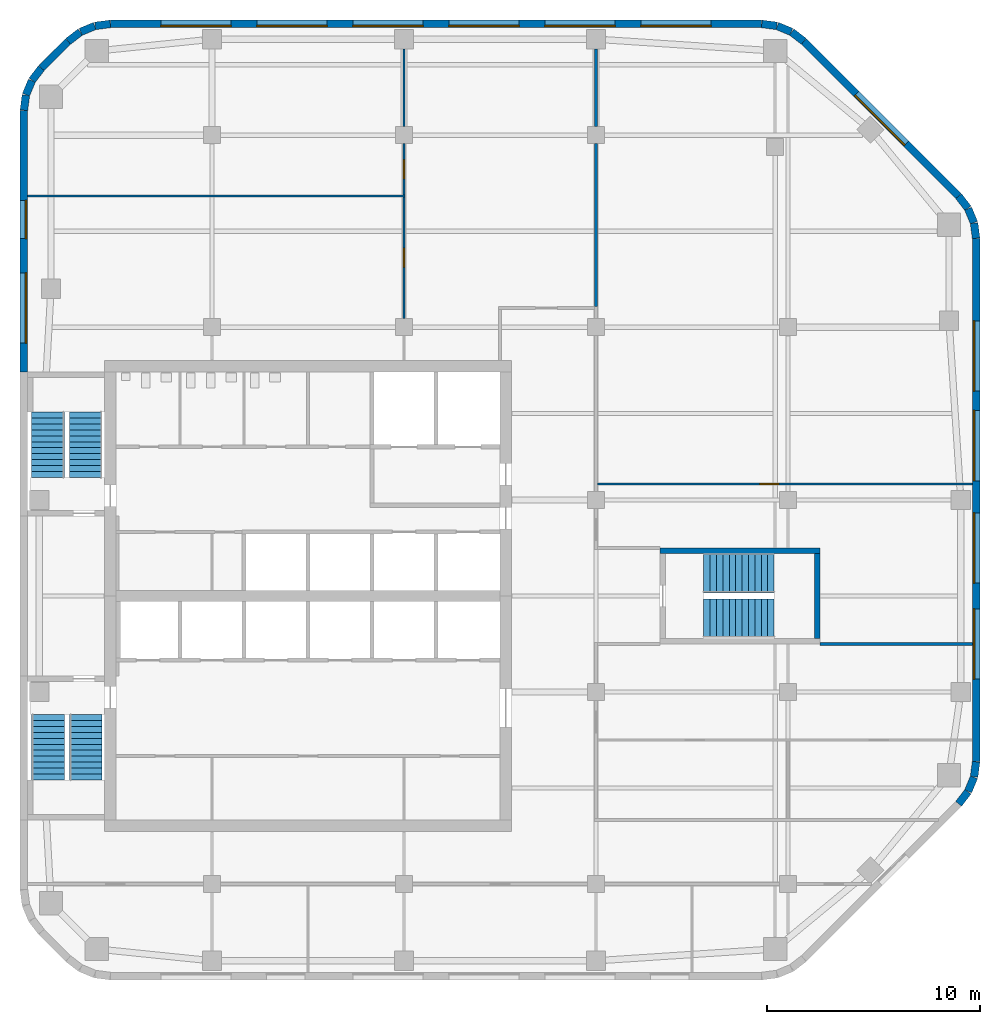
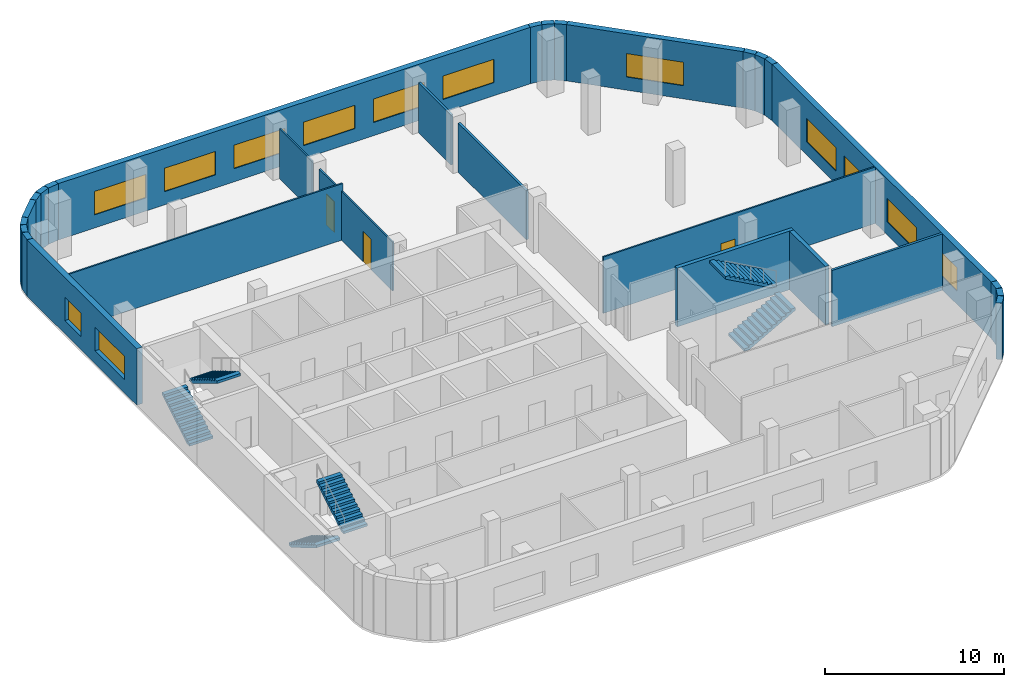
# One storey, part 5 of 7: 30 walls, 13 windows, 6 stair flights, 3 doors, 16 openings, 3 elements without a shape of their own.
"""IFC4 building model written with IfcOpenShell, lengths in metres."""

from ifc_helpers import new_model, si_unit, direction, frame, frame_2d, origin, place, context, subcontext, project, spatial, polyline, rectangle, outline, extrude, material, layer, layer_set, type_object, element, fill, aggregate, save


model = new_model("IFC4")

# Units and contexts
model_context = context("Model", 3, precision=1e-05, world=origin(), true_north=direction((0.0, 1.0)))
body_context = subcontext(model_context, "Body", "Model", "MODEL_VIEW")
ifc_project = project(units=[si_unit("LENGTHUNIT", "METRE"), si_unit("AREAUNIT", "SQUARE_METRE"), si_unit("VOLUMEUNIT", "CUBIC_METRE"), si_unit("PLANEANGLEUNIT", "RADIAN"), si_unit("MASSUNIT", "GRAM", prefix="KILO")], contexts=[model_context])

# Site, building, storey
site_placement = place(None, origin())
site = spatial("IfcSite", under=ifc_project, at=site_placement, CompositionType="ELEMENT")
building_placement = place(site_placement, origin())
building = spatial("IfcBuilding", under=site, at=building_placement, Name="Cinnabar Reach Civic Tower", CompositionType="ELEMENT")
storey_placement = place(building_placement, frame((0.0, 0.0, 214.0)))
storey = spatial("IfcBuildingStorey", under=building, at=storey_placement, Name="L51", CompositionType="ELEMENT", Elevation=214.0)

# Walls
ifc_material_1 = material(Name="Facing brick with insulated backing", Category="masonry")
ifc_layer_1 = layer(ifc_material_1, 0.36)
ifc_layer_set_1 = layer_set([ifc_layer_1], Name="Brick corner wall")
wall_type_1 = type_object("IfcWallType", Name="Brick corner wall", PredefinedType="STANDARD", material=ifc_layer_set_1)
wall_1_placement = place(storey_placement, frame((43.9998, 21.7587, 0.0), z_axis=(0.0, 0.0, 1.0), x_axis=(0.608802368033, 0.793321924995, 0.0)))
element("IfcWall", 1, at=wall_1_placement, inside=storey, type_object=wall_type_1, Name="Brick corner wall", PredefinedType="STANDARD", context=body_context, shape_type="SweptSolid", body=[
    extrude(rectangle(XDim=0.7132, YDim=0.36, at=frame_2d((0.3566, 0.0))), origin(), (0.0, 0.0, 1.0), 3.85),
])
for number, where, z_axis, x_axis, name in (
    (2, (44.4452, 22.3439, 0.0), (0.0, 0.0, 1.0), (0.382702709855, 0.923871547278, 0.0), "Brick corner wall"),
    (3, (44.7239, 23.0244, 0.0), (0.0, 0.0, 1.0), (0.13055608231, 0.99144092581, 0.0), "Brick corner wall"),
    (4, (44.817, 48.2686, 0.0), (0.0, 0.0, 1.0), (-0.13055608231, 0.99144092581, 0.0), "Brick corner wall"),
    (5, (44.7181, 48.9973, 0.0), (0.0, 0.0, 1.0), (-0.382702709855, 0.923871547278, 0.0), "Brick corner wall"),
):
    element("IfcWall", number, at=place(storey_placement, frame(where, z_axis=z_axis, x_axis=x_axis)), inside=storey, type_object=wall_type_1, Name=name, PredefinedType="STANDARD", context=body_context, shape_type="SweptSolid", body=[
        extrude(rectangle(XDim=0.7131, YDim=0.36, at=frame_2d((0.3565, 0.0))), origin(), (0.0, 0.0, 1.0), 3.85),
    ])
for number, where, z_axis, x_axis, name in (
    (6, (44.434, 49.6755, 0.0), (0.0, 0.0, 1.0), (-0.608802368033, 0.793321924995, 0.0), "Brick corner wall"),
    (7, (36.7413, 57.4998, 0.0), (0.0, 0.0, 1.0), (-0.793321924995, 0.608802368033, 0.0), "Brick corner wall"),
):
    element("IfcWall", number, at=place(storey_placement, frame(where, z_axis=z_axis, x_axis=x_axis)), inside=storey, type_object=wall_type_1, Name=name, PredefinedType="STANDARD", context=body_context, shape_type="SweptSolid", body=[
        extrude(rectangle(XDim=0.7132, YDim=0.36, at=frame_2d((0.3566, 0.0))), origin(), (0.0, 0.0, 1.0), 3.85),
    ])
for number, where, z_axis, x_axis, name in (
    (8, (36.1561, 57.9452, 0.0), (0.0, 0.0, 1.0), (-0.923871547278, 0.382702709855, 0.0), "Brick corner wall"),
    (9, (35.4756, 58.2239, 0.0), (0.0, 0.0, 1.0), (-0.99144092581, 0.13055608231, 0.0), "Brick corner wall"),
    (10, (4.2314, 58.317, 0.0), (0.0, 0.0, 1.0), (-0.99144092581, -0.13055608231, 0.0), "Brick corner wall"),
    (11, (3.5027, 58.2181, 0.0), (0.0, 0.0, 1.0), (-0.923871547278, -0.382702709855, 0.0), "Brick corner wall"),
):
    element("IfcWall", number, at=place(storey_placement, frame(where, z_axis=z_axis, x_axis=x_axis)), inside=storey, type_object=wall_type_1, Name=name, PredefinedType="STANDARD", context=body_context, shape_type="SweptSolid", body=[
        extrude(rectangle(XDim=0.7131, YDim=0.36, at=frame_2d((0.3565, 0.0))), origin(), (0.0, 0.0, 1.0), 3.85),
    ])
for number, where, z_axis, x_axis, name in (
    (12, (2.8245, 57.934, 0.0), (0.0, 0.0, 1.0), (-0.793321924995, -0.608802368033, 0.0), "Brick corner wall"),
    (13, (1.0002, 56.2413, 0.0), (0.0, 0.0, 1.0), (-0.608802368033, -0.793321924995, 0.0), "Brick corner wall"),
):
    element("IfcWall", number, at=place(storey_placement, frame(where, z_axis=z_axis, x_axis=x_axis)), inside=storey, type_object=wall_type_1, Name=name, PredefinedType="STANDARD", context=body_context, shape_type="SweptSolid", body=[
        extrude(rectangle(XDim=0.7132, YDim=0.36, at=frame_2d((0.3566, 0.0))), origin(), (0.0, 0.0, 1.0), 3.85),
    ])
for number, where, z_axis, x_axis, name in (
    (14, (0.5548, 55.6561, 0.0), (0.0, 0.0, 1.0), (-0.382702709855, -0.923871547278, 0.0), "Brick corner wall"),
    (15, (0.2761, 54.9756, 0.0), (0.0, 0.0, 1.0), (-0.13055608231, -0.99144092581, 0.0), "Brick corner wall"),
):
    element("IfcWall", number, at=place(storey_placement, frame(where, z_axis=z_axis, x_axis=x_axis)), inside=storey, type_object=wall_type_1, Name=name, PredefinedType="STANDARD", context=body_context, shape_type="SweptSolid", body=[
        extrude(rectangle(XDim=0.7131, YDim=0.36, at=frame_2d((0.3565, 0.0))), origin(), (0.0, 0.0, 1.0), 3.85),
    ])

# Wall, openings, windows
ifc_layer_2 = layer(ifc_material_1, 0.36)
ifc_layer_set_2 = layer_set([ifc_layer_2], Name="Brick pier and spandrel wall")
wall_type_2 = type_object("IfcWallType", Name="Brick pier and spandrel wall", PredefinedType="STANDARD", material=ifc_layer_set_2)
wall_2_placement = place(storey_placement, frame((44.82, 23.7426, 0.0), z_axis=(0.0, 0.0, 1.0), x_axis=(0.0, 1.0, 0.0)))
wall_2 = element("IfcWall", 16, at=wall_2_placement, inside=storey, type_object=wall_type_2, Name="Brick facade wall", PredefinedType="STANDARD", context=body_context, shape_type="SweptSolid", body=[
    extrude(rectangle(XDim=24.5148, YDim=0.36, at=frame_2d((12.2574, 0.0))), origin(), (0.0, 0.0, 1.0), 3.85),
])
opening_1_placement = place(wall_2_placement, frame((3.8574, 0.0, 0.9)))
opening_1 = element("IfcOpeningElement", 17, at=opening_1_placement, cuts=wall_2, Name="Opening W2047", PredefinedType="OPENING", context=body_context, shape_type="SweptSolid", body=[
    extrude(rectangle(XDim=3.3, YDim=1.6, at=frame_2d((1.65, 0.8))), frame((0.0, 0.19, 0.0), z_axis=(0.0, -1.0, 0.0), x_axis=(1.0, 0.0, 0.0)), (0.0, 0.0, 1.0), 0.38),
])
opening_2_placement = place(wall_2_placement, frame((8.3574, 0.0, 0.9)))
opening_2 = element("IfcOpeningElement", 18, at=opening_2_placement, cuts=wall_2, Name="Opening W2048", PredefinedType="OPENING", context=body_context, shape_type="SweptSolid", body=[
    extrude(rectangle(XDim=3.3, YDim=1.6, at=frame_2d((1.65, 0.8))), frame((0.0, 0.19, 0.0), z_axis=(0.0, -1.0, 0.0), x_axis=(1.0, 0.0, 0.0)), (0.0, 0.0, 1.0), 0.38),
])
opening_3_placement = place(wall_2_placement, frame((13.1574, 0.0, 0.9)))
opening_3 = element("IfcOpeningElement", 19, at=opening_3_placement, cuts=wall_2, Name="Opening W2049", PredefinedType="OPENING", context=body_context, shape_type="SweptSolid", body=[
    extrude(rectangle(XDim=3.3, YDim=1.6, at=frame_2d((1.65, 0.8))), frame((0.0, 0.19, 0.0), z_axis=(0.0, -1.0, 0.0), x_axis=(1.0, 0.0, 0.0)), (0.0, 0.0, 1.0), 0.38),
])
opening_4_placement = place(wall_2_placement, frame((17.3574, 0.0, 0.9)))
opening_4 = element("IfcOpeningElement", 20, at=opening_4_placement, cuts=wall_2, Name="Opening W2050", PredefinedType="OPENING", context=body_context, shape_type="SweptSolid", body=[
    extrude(rectangle(XDim=3.3, YDim=1.6, at=frame_2d((1.65, 0.8))), frame((0.0, 0.19, 0.0), z_axis=(0.0, -1.0, 0.0), x_axis=(1.0, 0.0, 0.0)), (0.0, 0.0, 1.0), 0.38),
])
ifc_material_2 = material(Name="Clear double glazing in aluminium frame", Category="aluminium")
window_type_1 = type_object("IfcWindowType", Name="Deep-set window A", PartitioningType="SINGLE_PANEL", PredefinedType="WINDOW", material=ifc_material_2)
window_1_placement = place(opening_1_placement, origin())
window_1 = element("IfcWindow", 21, at=window_1_placement, inside=storey, type_object=window_type_1, Name="Window east face", OverallHeight=1.6, OverallWidth=3.3, PartitioningType="SINGLE_PANEL", PredefinedType="WINDOW", context=body_context, shape_type="SweptSolid", body=[
    extrude(rectangle(XDim=3.3, YDim=1.6, at=frame_2d((1.65, 0.8))), frame((0.0, 0.13, 0.0), z_axis=(0.0, -1.0, 0.0), x_axis=(1.0, 0.0, 0.0)), (0.0, 0.0, 1.0), 0.06),
])
fill(opening_1, window_1)
window_2_placement = place(opening_2_placement, origin())
window_2 = element("IfcWindow", 22, at=window_2_placement, inside=storey, type_object=window_type_1, Name="Window east face", OverallHeight=1.6, OverallWidth=3.3, PartitioningType="SINGLE_PANEL", PredefinedType="WINDOW", context=body_context, shape_type="SweptSolid", body=[
    extrude(rectangle(XDim=3.3, YDim=1.6, at=frame_2d((1.65, 0.8))), frame((0.0, 0.13, 0.0), z_axis=(0.0, -1.0, 0.0), x_axis=(1.0, 0.0, 0.0)), (0.0, 0.0, 1.0), 0.06),
])
fill(opening_2, window_2)
window_3_placement = place(opening_3_placement, origin())
window_3 = element("IfcWindow", 23, at=window_3_placement, inside=storey, type_object=window_type_1, Name="Window east face", OverallHeight=1.6, OverallWidth=3.3, PartitioningType="SINGLE_PANEL", PredefinedType="WINDOW", context=body_context, shape_type="SweptSolid", body=[
    extrude(rectangle(XDim=3.3, YDim=1.6, at=frame_2d((1.65, 0.8))), frame((0.0, 0.13, 0.0), z_axis=(0.0, -1.0, 0.0), x_axis=(1.0, 0.0, 0.0)), (0.0, 0.0, 1.0), 0.06),
])
fill(opening_3, window_3)
window_4_placement = place(opening_4_placement, origin())
window_4 = element("IfcWindow", 24, at=window_4_placement, inside=storey, type_object=window_type_1, Name="Window east face", OverallHeight=1.6, OverallWidth=3.3, PartitioningType="SINGLE_PANEL", PredefinedType="WINDOW", context=body_context, shape_type="SweptSolid", body=[
    extrude(rectangle(XDim=3.3, YDim=1.6, at=frame_2d((1.65, 0.8))), frame((0.0, 0.13, 0.0), z_axis=(0.0, -1.0, 0.0), x_axis=(1.0, 0.0, 0.0)), (0.0, 0.0, 1.0), 0.06),
])
fill(opening_4, window_4)

# Wall, opening, window
wall_3_placement = place(storey_placement, frame((43.994, 50.2514, 0.0), z_axis=(0.0, 0.0, 1.0), x_axis=(-0.707106781187, 0.707106781187, 0.0)))
wall_3 = element("IfcWall", 25, at=wall_3_placement, inside=storey, type_object=wall_type_2, Name="Brick facade wall", PredefinedType="STANDARD", context=body_context, shape_type="SweptSolid", body=[
    extrude(rectangle(XDim=10.2426, YDim=0.36, at=frame_2d((5.1213, 0.0))), origin(), (0.0, 0.0, 1.0), 3.85),
])
opening_5_placement = place(wall_3_placement, frame((3.4713, 0.0, 0.9)))
opening_5 = element("IfcOpeningElement", 26, at=opening_5_placement, cuts=wall_3, Name="Opening W2051", PredefinedType="OPENING", context=body_context, shape_type="SweptSolid", body=[
    extrude(rectangle(XDim=3.3, YDim=1.6, at=frame_2d((1.65, 0.8))), frame((0.0, 0.19, 0.0), z_axis=(0.0, -1.0, 0.0), x_axis=(1.0, 0.0, 0.0)), (0.0, 0.0, 1.0), 0.38),
])
window_5_placement = place(opening_5_placement, origin())
window_5 = element("IfcWindow", 27, at=window_5_placement, inside=storey, type_object=window_type_1, Name="Window northeast face", OverallHeight=1.6, OverallWidth=3.3, PartitioningType="SINGLE_PANEL", PredefinedType="WINDOW", context=body_context, shape_type="SweptSolid", body=[
    extrude(rectangle(XDim=3.3, YDim=1.6, at=frame_2d((1.65, 0.8))), frame((0.0, 0.13, 0.0), z_axis=(0.0, -1.0, 0.0), x_axis=(1.0, 0.0, 0.0)), (0.0, 0.0, 1.0), 0.06),
])
fill(opening_5, window_5)

# Wall, openings, windows
wall_4_placement = place(storey_placement, frame((34.7574, 58.32, 0.0), z_axis=(0.0, 0.0, 1.0), x_axis=(-1.0, 0.0, 0.0)))
wall_4 = element("IfcWall", 28, at=wall_4_placement, inside=storey, type_object=wall_type_2, Name="Brick facade wall", PredefinedType="STANDARD", context=body_context, shape_type="SweptSolid", body=[
    extrude(rectangle(XDim=30.5148, YDim=0.36, at=frame_2d((15.2574, 0.0))), origin(), (0.0, 0.0, 1.0), 3.85),
])
opening_6_placement = place(wall_4_placement, frame((2.3574, 0.0, 0.9)))
opening_6 = element("IfcOpeningElement", 29, at=opening_6_placement, cuts=wall_4, Name="Opening W2052", PredefinedType="OPENING", context=body_context, shape_type="SweptSolid", body=[
    extrude(rectangle(XDim=3.3, YDim=1.6, at=frame_2d((1.65, 0.8))), frame((0.0, 0.19, 0.0), z_axis=(0.0, -1.0, 0.0), x_axis=(1.0, 0.0, 0.0)), (0.0, 0.0, 1.0), 0.38),
])
opening_7_placement = place(wall_4_placement, frame((6.8574, 0.0, 0.9)))
opening_7 = element("IfcOpeningElement", 30, at=opening_7_placement, cuts=wall_4, Name="Opening W2053", PredefinedType="OPENING", context=body_context, shape_type="SweptSolid", body=[
    extrude(rectangle(XDim=3.3, YDim=1.6, at=frame_2d((1.65, 0.8))), frame((0.0, 0.19, 0.0), z_axis=(0.0, -1.0, 0.0), x_axis=(1.0, 0.0, 0.0)), (0.0, 0.0, 1.0), 0.38),
])
opening_8_placement = place(wall_4_placement, frame((11.3574, 0.0, 0.9)))
opening_8 = element("IfcOpeningElement", 31, at=opening_8_placement, cuts=wall_4, Name="Opening W2054", PredefinedType="OPENING", context=body_context, shape_type="SweptSolid", body=[
    extrude(rectangle(XDim=3.3, YDim=1.6, at=frame_2d((1.65, 0.8))), frame((0.0, 0.19, 0.0), z_axis=(0.0, -1.0, 0.0), x_axis=(1.0, 0.0, 0.0)), (0.0, 0.0, 1.0), 0.38),
])
opening_9_placement = place(wall_4_placement, frame((15.8574, 0.0, 0.9)))
opening_9 = element("IfcOpeningElement", 32, at=opening_9_placement, cuts=wall_4, Name="Opening W2055", PredefinedType="OPENING", context=body_context, shape_type="SweptSolid", body=[
    extrude(rectangle(XDim=3.3, YDim=1.6, at=frame_2d((1.65, 0.8))), frame((0.0, 0.19, 0.0), z_axis=(0.0, -1.0, 0.0), x_axis=(1.0, 0.0, 0.0)), (0.0, 0.0, 1.0), 0.38),
])
opening_10_placement = place(wall_4_placement, frame((20.3574, 0.0, 0.9)))
opening_10 = element("IfcOpeningElement", 33, at=opening_10_placement, cuts=wall_4, Name="Opening W2056", PredefinedType="OPENING", context=body_context, shape_type="SweptSolid", body=[
    extrude(rectangle(XDim=3.3, YDim=1.6, at=frame_2d((1.65, 0.8))), frame((0.0, 0.19, 0.0), z_axis=(0.0, -1.0, 0.0), x_axis=(1.0, 0.0, 0.0)), (0.0, 0.0, 1.0), 0.38),
])
opening_11_placement = place(wall_4_placement, frame((24.8574, 0.0, 0.9)))
opening_11 = element("IfcOpeningElement", 34, at=opening_11_placement, cuts=wall_4, Name="Opening W2057", PredefinedType="OPENING", context=body_context, shape_type="SweptSolid", body=[
    extrude(rectangle(XDim=3.3, YDim=1.6, at=frame_2d((1.65, 0.8))), frame((0.0, 0.19, 0.0), z_axis=(0.0, -1.0, 0.0), x_axis=(1.0, 0.0, 0.0)), (0.0, 0.0, 1.0), 0.38),
])
window_6_placement = place(opening_6_placement, origin())
window_6 = element("IfcWindow", 35, at=window_6_placement, inside=storey, type_object=window_type_1, Name="Window north face", OverallHeight=1.6, OverallWidth=3.3, PartitioningType="SINGLE_PANEL", PredefinedType="WINDOW", context=body_context, shape_type="SweptSolid", body=[
    extrude(rectangle(XDim=3.3, YDim=1.6, at=frame_2d((1.65, 0.8))), frame((0.0, 0.13, 0.0), z_axis=(0.0, -1.0, 0.0), x_axis=(1.0, 0.0, 0.0)), (0.0, 0.0, 1.0), 0.06),
])
fill(opening_6, window_6)
window_7_placement = place(opening_7_placement, origin())
window_7 = element("IfcWindow", 36, at=window_7_placement, inside=storey, type_object=window_type_1, Name="Window north face", OverallHeight=1.6, OverallWidth=3.3, PartitioningType="SINGLE_PANEL", PredefinedType="WINDOW", context=body_context, shape_type="SweptSolid", body=[
    extrude(rectangle(XDim=3.3, YDim=1.6, at=frame_2d((1.65, 0.8))), frame((0.0, 0.13, 0.0), z_axis=(0.0, -1.0, 0.0), x_axis=(1.0, 0.0, 0.0)), (0.0, 0.0, 1.0), 0.06),
])
fill(opening_7, window_7)
window_8_placement = place(opening_8_placement, origin())
window_8 = element("IfcWindow", 37, at=window_8_placement, inside=storey, type_object=window_type_1, Name="Window north face", OverallHeight=1.6, OverallWidth=3.3, PartitioningType="SINGLE_PANEL", PredefinedType="WINDOW", context=body_context, shape_type="SweptSolid", body=[
    extrude(rectangle(XDim=3.3, YDim=1.6, at=frame_2d((1.65, 0.8))), frame((0.0, 0.13, 0.0), z_axis=(0.0, -1.0, 0.0), x_axis=(1.0, 0.0, 0.0)), (0.0, 0.0, 1.0), 0.06),
])
fill(opening_8, window_8)
window_9_placement = place(opening_9_placement, origin())
window_9 = element("IfcWindow", 38, at=window_9_placement, inside=storey, type_object=window_type_1, Name="Window north face", OverallHeight=1.6, OverallWidth=3.3, PartitioningType="SINGLE_PANEL", PredefinedType="WINDOW", context=body_context, shape_type="SweptSolid", body=[
    extrude(rectangle(XDim=3.3, YDim=1.6, at=frame_2d((1.65, 0.8))), frame((0.0, 0.13, 0.0), z_axis=(0.0, -1.0, 0.0), x_axis=(1.0, 0.0, 0.0)), (0.0, 0.0, 1.0), 0.06),
])
fill(opening_9, window_9)
window_10_placement = place(opening_10_placement, origin())
window_10 = element("IfcWindow", 39, at=window_10_placement, inside=storey, type_object=window_type_1, Name="Window north face", OverallHeight=1.6, OverallWidth=3.3, PartitioningType="SINGLE_PANEL", PredefinedType="WINDOW", context=body_context, shape_type="SweptSolid", body=[
    extrude(rectangle(XDim=3.3, YDim=1.6, at=frame_2d((1.65, 0.8))), frame((0.0, 0.13, 0.0), z_axis=(0.0, -1.0, 0.0), x_axis=(1.0, 0.0, 0.0)), (0.0, 0.0, 1.0), 0.06),
])
fill(opening_10, window_10)
window_11_placement = place(opening_11_placement, origin())
window_11 = element("IfcWindow", 40, at=window_11_placement, inside=storey, type_object=window_type_1, Name="Window north face", OverallHeight=1.6, OverallWidth=3.3, PartitioningType="SINGLE_PANEL", PredefinedType="WINDOW", context=body_context, shape_type="SweptSolid", body=[
    extrude(rectangle(XDim=3.3, YDim=1.6, at=frame_2d((1.65, 0.8))), frame((0.0, 0.13, 0.0), z_axis=(0.0, -1.0, 0.0), x_axis=(1.0, 0.0, 0.0)), (0.0, 0.0, 1.0), 0.06),
])
fill(opening_11, window_11)

# Wall
wall_5_placement = place(storey_placement, frame((2.2486, 57.494, 0.0), z_axis=(0.0, 0.0, 1.0), x_axis=(-0.707106781187, -0.707106781187, 0.0)))
element("IfcWall", 41, at=wall_5_placement, inside=storey, type_object=wall_type_2, Name="Brick facade wall", PredefinedType="STANDARD", context=body_context, shape_type="SweptSolid", body=[
    extrude(rectangle(XDim=1.7573, YDim=0.36, at=frame_2d((0.8787, 0.0))), origin(), (0.0, 0.0, 1.0), 3.85),
])

# Wall, openings, windows
wall_6_placement = place(storey_placement, frame((0.18, 54.2574, 0.0), z_axis=(0.0, 0.0, 1.0), x_axis=(0.0, -1.0, 0.0)))
wall_6 = element("IfcWall", 42, at=wall_6_placement, inside=storey, type_object=wall_type_2, Name="Brick facade wall", PredefinedType="STANDARD", context=body_context, shape_type="SweptSolid", body=[
    extrude(rectangle(XDim=12.2574, YDim=0.36, at=frame_2d((6.1287, 0.0))), origin(), (0.0, 0.0, 1.0), 3.85),
])
opening_12_placement = place(wall_6_placement, frame((4.2074, 0.0, 0.9)))
opening_12 = element("IfcOpeningElement", 43, at=opening_12_placement, cuts=wall_6, Name="Opening W2058", PredefinedType="OPENING", context=body_context, shape_type="SweptSolid", body=[
    extrude(rectangle(XDim=1.8, YDim=1.6, at=frame_2d((0.9, 0.8))), frame((0.0, 0.19, 0.0), z_axis=(0.0, -1.0, 0.0), x_axis=(1.0, 0.0, 0.0)), (0.0, 0.0, 1.0), 0.38),
])
opening_13_placement = place(wall_6_placement, frame((7.6074, 0.0, 0.9)))
opening_13 = element("IfcOpeningElement", 44, at=opening_13_placement, cuts=wall_6, Name="Opening W2059", PredefinedType="OPENING", context=body_context, shape_type="SweptSolid", body=[
    extrude(rectangle(XDim=3.3, YDim=1.6, at=frame_2d((1.65, 0.8))), frame((0.0, 0.19, 0.0), z_axis=(0.0, -1.0, 0.0), x_axis=(1.0, 0.0, 0.0)), (0.0, 0.0, 1.0), 0.38),
])
window_12_placement = place(opening_13_placement, origin())
window_12 = element("IfcWindow", 45, at=window_12_placement, inside=storey, type_object=window_type_1, Name="Window west face", OverallHeight=1.6, OverallWidth=3.3, PartitioningType="SINGLE_PANEL", PredefinedType="WINDOW", context=body_context, shape_type="SweptSolid", body=[
    extrude(rectangle(XDim=3.3, YDim=1.6, at=frame_2d((1.65, 0.8))), frame((0.0, 0.13, 0.0), z_axis=(0.0, -1.0, 0.0), x_axis=(1.0, 0.0, 0.0)), (0.0, 0.0, 1.0), 0.06),
])
fill(opening_13, window_12)
window_type_2 = type_object("IfcWindowType", Name="Deep-set window D", PartitioningType="SINGLE_PANEL", PredefinedType="WINDOW", material=ifc_material_2)
window_13_placement = place(opening_12_placement, origin())
window_13 = element("IfcWindow", 46, at=window_13_placement, inside=storey, type_object=window_type_2, Name="Window west face", OverallHeight=1.6, OverallWidth=1.8, PartitioningType="SINGLE_PANEL", PredefinedType="WINDOW", context=body_context, shape_type="SweptSolid", body=[
    extrude(rectangle(XDim=1.8, YDim=1.6, at=frame_2d((0.9, 0.8))), frame((0.0, 0.13, 0.0), z_axis=(0.0, -1.0, 0.0), x_axis=(1.0, 0.0, 0.0)), (0.0, 0.0, 1.0), 0.06),
])
fill(opening_12, window_13)

# Wall, opening, door
ifc_material_3 = material(Name="Gypsum board on steel studs", Category="steel")
ifc_layer_3 = layer(ifc_material_3, 0.1)
ifc_layer_set_3 = layer_set([ifc_layer_3], Name="Partition wall 100 T1")
wall_type_3 = type_object("IfcWallType", Name="Partition wall 100 T1", PredefinedType="PARTITIONING", material=ifc_layer_set_3)
wall_7_placement = place(storey_placement, frame((27.075, 36.75, 0.0), z_axis=(0.0, 0.0, 1.0), x_axis=(1.0, 0.0, 0.0)))
wall_7 = element("IfcWall", 47, at=wall_7_placement, inside=storey, type_object=wall_type_3, Name="Partition wall 44", PredefinedType="PARTITIONING", context=body_context, shape_type="SweptSolid", body=[
    extrude(rectangle(XDim=17.565, YDim=0.1, at=frame_2d((8.7825, 0.0))), origin(), (0.0, 0.0, 1.0), 3.85),
])
opening_14_placement = place(wall_7_placement, frame((7.6, 0.0, 0.0)))
opening_14 = element("IfcOpeningElement", 48, at=opening_14_placement, cuts=wall_7, Name="Opening D5099", PredefinedType="OPENING", context=body_context, shape_type="SweptSolid", body=[
    extrude(rectangle(XDim=0.9, YDim=2.1, at=frame_2d((0.45, 1.05))), frame((0.0, 0.06, 0.0), z_axis=(0.0, -1.0, 0.0), x_axis=(1.0, 0.0, 0.0)), (0.0, 0.0, 1.0), 0.12),
])
ifc_material_4 = material(Name="Timber door leaf in steel frame", Category="steel")
door_type = type_object("IfcDoorType", Name="Single swing door 900 x 2100 T1", OperationType="SINGLE_SWING_LEFT", PredefinedType="DOOR", material=ifc_material_4)
door_1_placement = place(opening_14_placement, frame((0.9, 0.0, 0.0), z_axis=(0.0, 0.0, 1.0), x_axis=(-1.0, 0.0, 0.0)))
door_1 = element("IfcDoor", 49, at=door_1_placement, inside=storey, type_object=door_type, Name="Door D5099", OperationType="SINGLE_SWING_LEFT", OverallHeight=2.1, OverallWidth=0.9, PredefinedType="DOOR", context=body_context, shape_type="SweptSolid", body=[
    extrude(rectangle(XDim=0.9, YDim=2.1, at=frame_2d((0.45, 1.05))), frame((0.0, 0.025, 0.0), z_axis=(0.0, -1.0, 0.0), x_axis=(1.0, 0.0, 0.0)), (0.0, 0.0, 1.0), 0.05),
])
fill(opening_14, door_1)

# Wall
wall_8_placement = place(storey_placement, frame((0.36, 50.25, 0.0), z_axis=(0.0, 0.0, 1.0), x_axis=(1.0, 0.0, 0.0)))
element("IfcWall", 50, at=wall_8_placement, inside=storey, type_object=wall_type_3, Name="Partition wall 45", PredefinedType="PARTITIONING", context=body_context, shape_type="SweptSolid", body=[
    extrude(rectangle(XDim=17.69, YDim=0.1, at=frame_2d((8.845, 0.0))), origin(), (0.0, 0.0, 1.0), 3.85),
])

# Wall, opening, door
wall_9_placement = place(storey_placement, frame((18.0, 50.3, 0.0), z_axis=(0.0, 0.0, 1.0), x_axis=(0.0, 1.0, 0.0)))
wall_9 = element("IfcWall", 51, at=wall_9_placement, inside=storey, type_object=wall_type_3, Name="Partition wall 47", PredefinedType="PARTITIONING", context=body_context, shape_type="SweptSolid", body=[
    extrude(rectangle(XDim=2.4, YDim=0.1, at=frame_2d((1.2, 0.0))), origin(), (0.0, 0.0, 1.0), 3.35),
])
opening_15_placement = place(wall_9_placement, frame((0.75, 0.0, 0.0)))
opening_15 = element("IfcOpeningElement", 52, at=opening_15_placement, cuts=wall_9, Name="Opening D5108", PredefinedType="OPENING", context=body_context, shape_type="SweptSolid", body=[
    extrude(rectangle(XDim=0.9, YDim=2.1, at=frame_2d((0.45, 1.05))), frame((0.0, 0.06, 0.0), z_axis=(0.0, -1.0, 0.0), x_axis=(1.0, 0.0, 0.0)), (0.0, 0.0, 1.0), 0.12),
])
door_2_placement = place(opening_15_placement, frame((0.9, 0.0, 0.0), z_axis=(0.0, 0.0, 1.0), x_axis=(-1.0, 0.0, 0.0)))
door_2 = element("IfcDoor", 53, at=door_2_placement, inside=storey, type_object=door_type, Name="Door D5108", OperationType="SINGLE_SWING_LEFT", OverallHeight=2.1, OverallWidth=0.9, PredefinedType="DOOR", context=body_context, shape_type="SweptSolid", body=[
    extrude(rectangle(XDim=0.9, YDim=2.1, at=frame_2d((0.45, 1.05))), frame((0.0, 0.025, 0.0), z_axis=(0.0, -1.0, 0.0), x_axis=(1.0, 0.0, 0.0)), (0.0, 0.0, 1.0), 0.05),
])
fill(opening_15, door_2)

wall_10_placement = place(storey_placement, frame((18.0, 44.5, 0.0), z_axis=(0.0, 0.0, 1.0), x_axis=(0.0, 1.0, 0.0)))
wall_10 = element("IfcWall", 54, at=wall_10_placement, inside=storey, type_object=wall_type_3, Name="Partition wall 48", PredefinedType="PARTITIONING", context=body_context, shape_type="SweptSolid", body=[
    extrude(rectangle(XDim=5.7, YDim=0.1, at=frame_2d((2.85, 0.0))), origin(), (0.0, 0.0, 1.0), 3.35),
])
opening_16_placement = place(wall_10_placement, frame((2.4, 0.0, 0.0)))
opening_16 = element("IfcOpeningElement", 55, at=opening_16_placement, cuts=wall_10, Name="Opening D5107", PredefinedType="OPENING", context=body_context, shape_type="SweptSolid", body=[
    extrude(rectangle(XDim=0.9, YDim=2.1, at=frame_2d((0.45, 1.05))), frame((0.0, 0.06, 0.0), z_axis=(0.0, -1.0, 0.0), x_axis=(1.0, 0.0, 0.0)), (0.0, 0.0, 1.0), 0.12),
])
door_3_placement = place(opening_16_placement, frame((0.9, 0.0, 0.0), z_axis=(0.0, 0.0, 1.0), x_axis=(-1.0, 0.0, 0.0)))
door_3 = element("IfcDoor", 56, at=door_3_placement, inside=storey, type_object=door_type, Name="Door D5107", OperationType="SINGLE_SWING_RIGHT", OverallHeight=2.1, OverallWidth=0.9, PredefinedType="DOOR", context=body_context, shape_type="SweptSolid", body=[
    extrude(rectangle(XDim=0.9, YDim=2.1, at=frame_2d((0.45, 1.05))), frame((0.0, 0.025, 0.0), z_axis=(0.0, -1.0, 0.0), x_axis=(1.0, 0.0, 0.0)), (0.0, 0.0, 1.0), 0.05),
])
fill(opening_16, door_3)

# Walls
wall_11_placement = place(storey_placement, frame((18.0, 53.5, 0.0), z_axis=(0.0, 0.0, 1.0), x_axis=(0.0, 1.0, 0.0)))
element("IfcWall", 57, at=wall_11_placement, inside=storey, type_object=wall_type_3, Name="Partition wall 49", PredefinedType="PARTITIONING", context=body_context, shape_type="SweptSolid", body=[
    extrude(rectangle(XDim=3.65, YDim=0.1, at=frame_2d((1.825, 0.0))), origin(), (0.0, 0.0, 1.0), 3.41),
])
ifc_material_5 = material(Name="Concrete C60", Category="concrete")
ifc_layer_4 = layer(ifc_material_5, 0.25)
ifc_layer_set_4 = layer_set([ifc_layer_4], Name="Stair shaft wall 250 EI 120")
wall_type_4 = type_object("IfcWallType", Name="Stair shaft wall 250 EI 120", PredefinedType="SOLIDWALL", material=ifc_layer_set_4)
wall_12_placement = place(storey_placement, frame((37.5, 33.625, 0.0), z_axis=(0.0, 0.0, 1.0), x_axis=(-1.0, 0.0, 0.0)))
element("IfcWall", 58, at=wall_12_placement, inside=storey, type_object=wall_type_4, Name="Stair shaft wall T1-S3 L51", PredefinedType="SOLIDWALL", context=body_context, shape_type="SweptSolid", body=[
    extrude(rectangle(XDim=7.5, YDim=0.25, at=frame_2d((3.75, 0.0))), origin(), (0.0, 0.0, 1.0), 4.0),
])
wall_13_placement = place(storey_placement, frame((37.375, 29.5, 0.0), z_axis=(0.0, 0.0, 1.0), x_axis=(0.0, 1.0, 0.0)))
element("IfcWall", 59, at=wall_13_placement, inside=storey, type_object=wall_type_4, Name="Stair shaft wall T1-S3 L51", PredefinedType="SOLIDWALL", context=body_context, shape_type="SweptSolid", body=[
    extrude(rectangle(XDim=4.0, YDim=0.25, at=frame_2d((2.0, 0.0))), origin(), (0.0, 0.0, 1.0), 4.0),
])
ifc_material_6 = material(Name="Gypsum board on steel studs, double layer", Category="steel")
ifc_layer_5 = layer(ifc_material_6, 0.15)
ifc_layer_set_5 = layer_set([ifc_layer_5], Name="Tenancy separating wall 150 T1")
wall_type_5 = type_object("IfcWallType", Name="Tenancy separating wall 150 T1", PredefinedType="PARTITIONING", material=ifc_layer_set_5)
wall_14_placement = place(storey_placement, frame((27.0, 45.075, 0.0), z_axis=(0.0, 0.0, 1.0), x_axis=(0.0, 1.0, 0.0)))
element("IfcWall", 60, at=wall_14_placement, inside=storey, type_object=wall_type_5, Name="Tenancy separating wall 40", PredefinedType="PARTITIONING", context=body_context, shape_type="SweptSolid", body=[
    extrude(rectangle(XDim=7.625, YDim=0.15, at=frame_2d((3.8125, 0.0))), origin(), (0.0, 0.0, 1.0), 3.35),
])
wall_15_placement = place(storey_placement, frame((37.5, 29.25, 0.0), z_axis=(0.0, 0.0, 1.0), x_axis=(1.0, 0.0, 0.0)))
element("IfcWall", 61, at=wall_15_placement, inside=storey, type_object=wall_type_5, Name="Tenancy separating wall 41", PredefinedType="PARTITIONING", context=body_context, shape_type="SweptSolid", body=[
    extrude(rectangle(XDim=7.14, YDim=0.15, at=frame_2d((3.57, 0.0))), origin(), (0.0, 0.0, 1.0), 3.85),
])
wall_16_placement = place(storey_placement, frame((27.0, 53.5, 0.0), z_axis=(0.0, 0.0, 1.0), x_axis=(0.0, 1.0, 0.0)))
element("IfcWall", 62, at=wall_16_placement, inside=storey, type_object=wall_type_5, Name="Tenancy separating wall 42", PredefinedType="PARTITIONING", context=body_context, shape_type="SweptSolid", body=[
    extrude(rectangle(XDim=3.65, YDim=0.15, at=frame_2d((1.825, 0.0))), origin(), (0.0, 0.0, 1.0), 3.41),
])

# Stair, stair flights
ifc_material_7 = material(Name="Concrete C40/50", Category="concrete")
stair_type = type_object("IfcStairType", Name="T1 Exit stair, half-turn", PredefinedType="HALF_TURN_STAIR", material=ifc_material_7)
stair_1_placement = place(storey_placement, origin())
stair_1 = element("IfcStair", 63, at=stair_1_placement, inside=storey, type_object=stair_type, Name="Stair T1-S1", PredefinedType="HALF_TURN_STAIR")
stair_flight_type = type_object("IfcStairFlightType", Name="T1 Stair flight, concrete", PredefinedType="STRAIGHT", material=ifc_material_7)
stair_flight_1_placement = place(storey_placement, frame((1.3125, 25.95, 0.0), z_axis=(0.0, 0.0, 1.0), x_axis=(0.0, -1.0, 0.0)))
stair_flight_1 = element("IfcStairFlight", 64, at=stair_flight_1_placement, type_object=stair_flight_type, Name="T1-S1 flight 1", NumberOfRisers=12, NumberOfTreads=11, PredefinedType="STRAIGHT", RiserHeight=0.166666667, TreadLength=0.28, context=body_context, shape_type="SweptSolid", body=[
    extrude(outline(polyline([(0.0, 0.0), (0.0, 0.1667), (0.28, 0.1667), (0.28, 0.3333), (0.56, 0.3333), (0.56, 0.5), (0.84, 0.5), (0.84, 0.6667), (1.12, 0.6667), (1.12, 0.8333), (1.4, 0.8333), (1.4, 1.0), (1.68, 1.0), (1.68, 1.1667), (1.96, 1.1667), (1.96, 1.3333), (2.24, 1.3333), (2.24, 1.5), (2.52, 1.5), (2.52, 1.6667), (2.8, 1.6667), (2.8, 1.8333), (3.08, 1.8333), (3.08, 2.0), (3.08, 1.6588), (0.2933, 0.0), (0.0, 0.0)])), frame((0.0, 0.7625, 0.0), z_axis=(0.0, -1.0, 0.0), x_axis=(1.0, 0.0, 0.0)), (0.0, 0.0, 1.0), 1.525),
])
stair_flight_2_placement = place(storey_placement, frame((3.0875, 22.87, 2.0), z_axis=(0.0, 0.0, 1.0), x_axis=(0.0, 1.0, 0.0)))
stair_flight_2 = element("IfcStairFlight", 65, at=stair_flight_2_placement, type_object=stair_flight_type, Name="T1-S1 flight 2", NumberOfRisers=12, NumberOfTreads=11, PredefinedType="STRAIGHT", RiserHeight=0.166666667, TreadLength=0.28, context=body_context, shape_type="SweptSolid", body=[
    extrude(outline(polyline([(0.0, 0.0), (0.0, 0.1667), (0.28, 0.1667), (0.28, 0.3333), (0.56, 0.3333), (0.56, 0.5), (0.84, 0.5), (0.84, 0.6667), (1.12, 0.6667), (1.12, 0.8333), (1.4, 0.8333), (1.4, 1.0), (1.68, 1.0), (1.68, 1.1667), (1.96, 1.1667), (1.96, 1.3333), (2.24, 1.3333), (2.24, 1.5), (2.52, 1.5), (2.52, 1.6667), (2.8, 1.6667), (2.8, 1.8333), (3.08, 1.8333), (3.08, 2.0), (3.08, 1.6588), (0.2933, 0.0), (0.0, 0.0)])), frame((0.0, 0.7625, 0.0), z_axis=(0.0, -1.0, 0.0), x_axis=(1.0, 0.0, 0.0)), (0.0, 0.0, 1.0), 1.525),
])
aggregate(stair_1, [stair_flight_1, stair_flight_2])

stair_2_placement = place(storey_placement, origin())
stair_2 = element("IfcStair", 66, at=stair_2_placement, inside=storey, type_object=stair_type, Name="Stair T1-S2", PredefinedType="HALF_TURN_STAIR")
stair_flight_3_placement = place(storey_placement, frame((1.3125, 37.05, 0.0), z_axis=(0.0, 0.0, 1.0), x_axis=(0.0, 1.0, 0.0)))
stair_flight_3 = element("IfcStairFlight", 67, at=stair_flight_3_placement, type_object=stair_flight_type, Name="T1-S2 flight 1", NumberOfRisers=12, NumberOfTreads=11, PredefinedType="STRAIGHT", RiserHeight=0.166666667, TreadLength=0.28, context=body_context, shape_type="SweptSolid", body=[
    extrude(outline(polyline([(0.0, 0.0), (0.0, 0.1667), (0.28, 0.1667), (0.28, 0.3333), (0.56, 0.3333), (0.56, 0.5), (0.84, 0.5), (0.84, 0.6667), (1.12, 0.6667), (1.12, 0.8333), (1.4, 0.8333), (1.4, 1.0), (1.68, 1.0), (1.68, 1.1667), (1.96, 1.1667), (1.96, 1.3333), (2.24, 1.3333), (2.24, 1.5), (2.52, 1.5), (2.52, 1.6667), (2.8, 1.6667), (2.8, 1.8333), (3.08, 1.8333), (3.08, 2.0), (3.08, 1.6588), (0.2933, 0.0), (0.0, 0.0)])), frame((0.0, 0.7625, 0.0), z_axis=(0.0, -1.0, 0.0), x_axis=(1.0, 0.0, 0.0)), (0.0, 0.0, 1.0), 1.525),
])
stair_flight_4_placement = place(storey_placement, frame((3.0875, 40.13, 2.0), z_axis=(0.0, 0.0, 1.0), x_axis=(0.0, -1.0, 0.0)))
stair_flight_4 = element("IfcStairFlight", 68, at=stair_flight_4_placement, type_object=stair_flight_type, Name="T1-S2 flight 2", NumberOfRisers=12, NumberOfTreads=11, PredefinedType="STRAIGHT", RiserHeight=0.166666667, TreadLength=0.28, context=body_context, shape_type="SweptSolid", body=[
    extrude(outline(polyline([(0.0, 0.0), (0.0, 0.1667), (0.28, 0.1667), (0.28, 0.3333), (0.56, 0.3333), (0.56, 0.5), (0.84, 0.5), (0.84, 0.6667), (1.12, 0.6667), (1.12, 0.8333), (1.4, 0.8333), (1.4, 1.0), (1.68, 1.0), (1.68, 1.1667), (1.96, 1.1667), (1.96, 1.3333), (2.24, 1.3333), (2.24, 1.5), (2.52, 1.5), (2.52, 1.6667), (2.8, 1.6667), (2.8, 1.8333), (3.08, 1.8333), (3.08, 2.0), (3.08, 1.6588), (0.2933, 0.0), (0.0, 0.0)])), frame((0.0, 0.7625, 0.0), z_axis=(0.0, -1.0, 0.0), x_axis=(1.0, 0.0, 0.0)), (0.0, 0.0, 1.0), 1.525),
])
aggregate(stair_2, [stair_flight_3, stair_flight_4])

stair_3_placement = place(storey_placement, origin())
stair_3 = element("IfcStair", 69, at=stair_3_placement, inside=storey, type_object=stair_type, Name="Stair T1-S3", PredefinedType="HALF_TURN_STAIR")
stair_flight_5_placement = place(storey_placement, frame((32.05, 30.45, 0.0), z_axis=(0.0, 0.0, 1.0), x_axis=(1.0, 0.0, 0.0)))
stair_flight_5 = element("IfcStairFlight", 70, at=stair_flight_5_placement, type_object=stair_flight_type, Name="T1-S3 flight 1", NumberOfRisers=12, NumberOfTreads=11, PredefinedType="STRAIGHT", RiserHeight=0.166666667, TreadLength=0.3, context=body_context, shape_type="SweptSolid", body=[
    extrude(outline(polyline([(0.0, 0.0), (0.0, 0.1667), (0.3, 0.1667), (0.3, 0.3333), (0.6, 0.3333), (0.6, 0.5), (0.9, 0.5), (0.9, 0.6667), (1.2, 0.6667), (1.2, 0.8333), (1.5, 0.8333), (1.5, 1.0), (1.8, 1.0), (1.8, 1.1667), (2.1, 1.1667), (2.1, 1.3333), (2.4, 1.3333), (2.4, 1.5), (2.7, 1.5), (2.7, 1.6667), (3.0, 1.6667), (3.0, 1.8333), (3.3, 1.8333), (3.3, 2.0), (3.3, 1.6617), (0.3089, 0.0), (0.0, 0.0)])), frame((0.0, 0.9, 0.0), z_axis=(0.0, -1.0, 0.0), x_axis=(1.0, 0.0, 0.0)), (0.0, 0.0, 1.0), 1.8),
])
stair_flight_6_placement = place(storey_placement, frame((35.35, 32.55, 2.0), z_axis=(0.0, 0.0, 1.0), x_axis=(-1.0, 0.0, 0.0)))
stair_flight_6 = element("IfcStairFlight", 71, at=stair_flight_6_placement, type_object=stair_flight_type, Name="T1-S3 flight 2", NumberOfRisers=12, NumberOfTreads=11, PredefinedType="STRAIGHT", RiserHeight=0.166666667, TreadLength=0.3, context=body_context, shape_type="SweptSolid", body=[
    extrude(outline(polyline([(0.0, 0.0), (0.0, 0.1667), (0.3, 0.1667), (0.3, 0.3333), (0.6, 0.3333), (0.6, 0.5), (0.9, 0.5), (0.9, 0.6667), (1.2, 0.6667), (1.2, 0.8333), (1.5, 0.8333), (1.5, 1.0), (1.8, 1.0), (1.8, 1.1667), (2.1, 1.1667), (2.1, 1.3333), (2.4, 1.3333), (2.4, 1.5), (2.7, 1.5), (2.7, 1.6667), (3.0, 1.6667), (3.0, 1.8333), (3.3, 1.8333), (3.3, 2.0), (3.3, 1.6617), (0.3089, 0.0), (0.0, 0.0)])), frame((0.0, 0.9, 0.0), z_axis=(0.0, -1.0, 0.0), x_axis=(1.0, 0.0, 0.0)), (0.0, 0.0, 1.0), 1.8),
])
aggregate(stair_3, [stair_flight_5, stair_flight_6])

save(model, "model.ifc")
